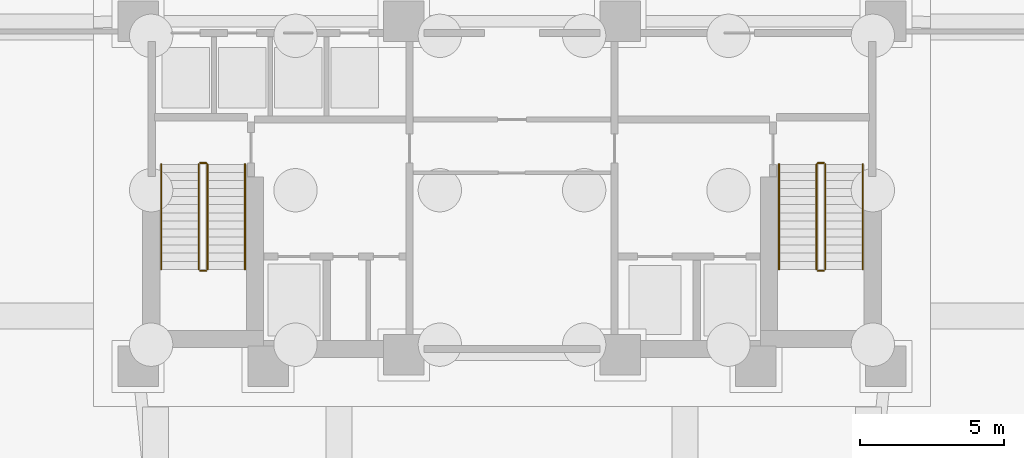
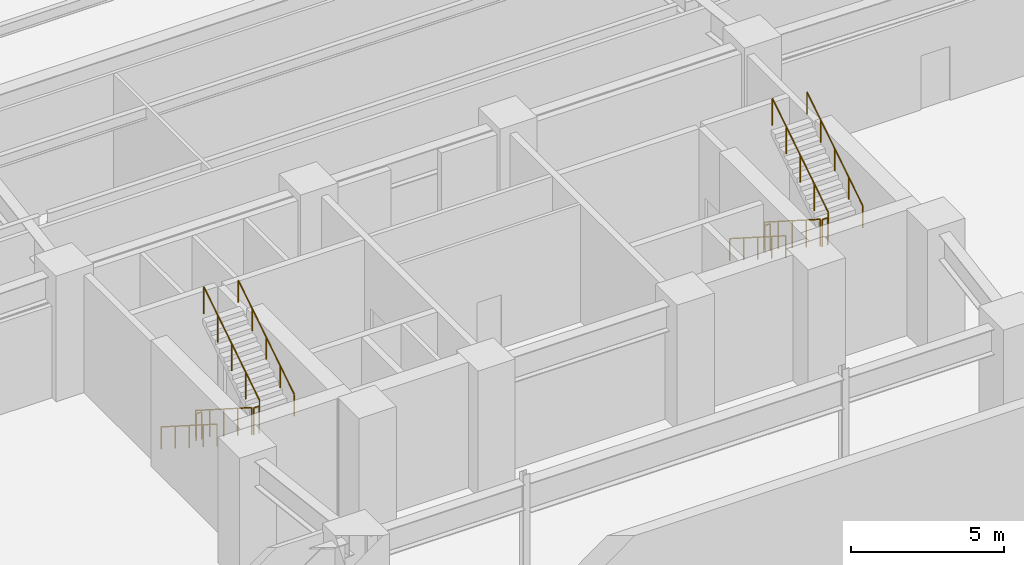
# One storey, part 12 of 15: 12 railings.
"""IFC4 building model written with IfcOpenShell, lengths in metres."""

from ifc_helpers import new_model, si_unit, direction, frame, origin, origin_2d, place, context, subcontext, project, spatial, circle, extrude, material, type_object, element, save


model = new_model("IFC4")

# Units and contexts
model_context = context("Model", 3, precision=1e-05, world=origin(), true_north=direction((0.0, 1.0)))
body_context = subcontext(model_context, "Body", "Model", "MODEL_VIEW")
ifc_project = project(units=[si_unit("LENGTHUNIT", "METRE"), si_unit("AREAUNIT", "SQUARE_METRE"), si_unit("VOLUMEUNIT", "CUBIC_METRE"), si_unit("PLANEANGLEUNIT", "RADIAN"), si_unit("MASSUNIT", "GRAM", prefix="KILO")], contexts=[model_context])

# Site, building, storey
site_placement = place(None, origin())
site = spatial("IfcSite", under=ifc_project, at=site_placement, CompositionType="ELEMENT")
building_placement = place(site_placement, origin())
building = spatial("IfcBuilding", under=site, at=building_placement, Name="Quenlor Broadcast Tower", CompositionType="ELEMENT")
storey_placement = place(building_placement, frame((0.0, 0.0, -10.0)))
storey = spatial("IfcBuildingStorey", under=building, at=storey_placement, Name="B02", CompositionType="ELEMENT", Elevation=-10.0)

# Railings
ifc_material_1 = material(Name="Anodised Aluminium", Category="aluminium")
railing_type_1 = type_object("IfcRailingType", Name="Stainless Aluminium Wall Handrail 900", PredefinedType="HANDRAIL", material=ifc_material_1)
railing_1_placement = place(storey_placement, frame((-12.14990234375, -9.75, 0.178466796875)))
element("IfcRailing", 1, at=railing_1_placement, inside=storey, type_object=railing_type_1, Name="B02 ST-1 stair handrail 1", PredefinedType="HANDRAIL", context=body_context, shape_type="SweptSolid", body=[
    extrude(circle(Radius=0.02392578125, at=origin_2d()), frame((0.0, 0.0, 0.8759765625), z_axis=(0.0, -0.843111507901, 0.53773877045), x_axis=(1.0, 0.0, 0.0)), (0.0, 0.0, 1.0), 4.317138671875),
    extrude(circle(Radius=0.02099609375, at=origin_2d()), origin(), (0.0, 0.0, 1.0), 0.851806640625),
    extrude(circle(Radius=0.02099609375, at=origin_2d()), frame((0.0, -0.909912109375, 0.580322265625)), (0.0, 0.0, 1.0), 0.851806640625),
    extrude(circle(Radius=0.02099609375, at=origin_2d()), frame((0.0, -1.81982421875, 1.16064453125)), (0.0, 0.0, 1.0), 0.851806640625),
    extrude(circle(Radius=0.02099609375, at=origin_2d()), frame((0.0, -2.72998046875, 1.7412109375)), (0.0, 0.0, 1.0), 0.851806640625),
    extrude(circle(Radius=0.02099609375, at=origin_2d()), frame((0.0, -3.639892578125, 2.321533203125)), (0.0, 0.0, 1.0), 0.851806640625),
])
railing_2_placement = place(storey_placement, frame((-9.25, -13.389892578125, 2.678466796875)))
element("IfcRailing", 2, at=railing_2_placement, inside=storey, type_object=railing_type_1, Name="B02 ST-1 stair handrail 2", PredefinedType="HANDRAIL", context=body_context, shape_type="SweptSolid", body=[
    extrude(circle(Radius=0.02392578125, at=origin_2d()), frame((0.0, 0.0, 0.8759765625), z_axis=(0.0, 0.843111507901, 0.53773877045), x_axis=(-1.0, 0.0, 0.0)), (0.0, 0.0, 1.0), 4.317138671875),
    extrude(circle(Radius=0.02099609375, at=origin_2d()), origin(), (0.0, 0.0, 1.0), 0.851806640625),
    extrude(circle(Radius=0.02099609375, at=origin_2d()), frame((0.0, 0.909912109375, 0.580322265625)), (0.0, 0.0, 1.0), 0.851806640625),
    extrude(circle(Radius=0.02099609375, at=origin_2d()), frame((0.0, 1.81982421875, 1.16064453125)), (0.0, 0.0, 1.0), 0.851806640625),
    extrude(circle(Radius=0.02099609375, at=origin_2d()), frame((0.0, 2.72998046875, 1.7412109375)), (0.0, 0.0, 1.0), 0.851806640625),
    extrude(circle(Radius=0.02099609375, at=origin_2d()), frame((0.0, 3.639892578125, 2.321533203125)), (0.0, 0.0, 1.0), 0.851806640625),
])
railing_3_placement = place(storey_placement, frame((9.25, -9.75, 0.178466796875)))
element("IfcRailing", 3, at=railing_3_placement, inside=storey, type_object=railing_type_1, Name="B02 ST-2 stair handrail 1", PredefinedType="HANDRAIL", context=body_context, shape_type="SweptSolid", body=[
    extrude(circle(Radius=0.02392578125, at=origin_2d()), frame((0.0, 0.0, 0.8759765625), z_axis=(0.0, -0.843111507901, 0.53773877045), x_axis=(1.0, 0.0, 0.0)), (0.0, 0.0, 1.0), 4.317138671875),
    extrude(circle(Radius=0.02099609375, at=origin_2d()), origin(), (0.0, 0.0, 1.0), 0.851806640625),
    extrude(circle(Radius=0.02099609375, at=origin_2d()), frame((0.0, -0.909912109375, 0.580322265625)), (0.0, 0.0, 1.0), 0.851806640625),
    extrude(circle(Radius=0.02099609375, at=origin_2d()), frame((0.0, -1.81982421875, 1.16064453125)), (0.0, 0.0, 1.0), 0.851806640625),
    extrude(circle(Radius=0.02099609375, at=origin_2d()), frame((0.0, -2.72998046875, 1.7412109375)), (0.0, 0.0, 1.0), 0.851806640625),
    extrude(circle(Radius=0.02099609375, at=origin_2d()), frame((0.0, -3.639892578125, 2.321533203125)), (0.0, 0.0, 1.0), 0.851806640625),
])
railing_4_placement = place(storey_placement, frame((12.14990234375, -13.389892578125, 2.678466796875)))
element("IfcRailing", 4, at=railing_4_placement, inside=storey, type_object=railing_type_1, Name="B02 ST-2 stair handrail 2", PredefinedType="HANDRAIL", context=body_context, shape_type="SweptSolid", body=[
    extrude(circle(Radius=0.02392578125, at=origin_2d()), frame((0.0, 0.0, 0.8759765625), z_axis=(0.0, 0.843111507901, 0.53773877045), x_axis=(-1.0, 0.0, 0.0)), (0.0, 0.0, 1.0), 4.317138671875),
    extrude(circle(Radius=0.02099609375, at=origin_2d()), origin(), (0.0, 0.0, 1.0), 0.851806640625),
    extrude(circle(Radius=0.02099609375, at=origin_2d()), frame((0.0, 0.909912109375, 0.580322265625)), (0.0, 0.0, 1.0), 0.851806640625),
    extrude(circle(Radius=0.02099609375, at=origin_2d()), frame((0.0, 1.81982421875, 1.16064453125)), (0.0, 0.0, 1.0), 0.851806640625),
    extrude(circle(Radius=0.02099609375, at=origin_2d()), frame((0.0, 2.72998046875, 1.7412109375)), (0.0, 0.0, 1.0), 0.851806640625),
    extrude(circle(Radius=0.02099609375, at=origin_2d()), frame((0.0, 3.639892578125, 2.321533203125)), (0.0, 0.0, 1.0), 0.851806640625),
])
ifc_material_2 = material(Name="Steel S355", Category="steel")
railing_type_2 = type_object("IfcRailingType", Name="Tubular Steel S355 Stair Guardrail 1100", PredefinedType="BALUSTRADE", material=ifc_material_2)
railing_5_placement = place(storey_placement, frame((-10.85009765625, -9.75, 0.178466796875)))
element("IfcRailing", 5, at=railing_5_placement, inside=storey, type_object=railing_type_2, Name="B02 ST-1 stair guard 1", PredefinedType="BALUSTRADE", context=body_context, shape_type="SweptSolid", body=[
    extrude(circle(Radius=0.02392578125, at=origin_2d()), frame((0.0, 0.0, 1.076171875), z_axis=(0.0, -0.843111507901, 0.53773877045), x_axis=(1.0, 0.0, 0.0)), (0.0, 0.0, 1.0), 4.317138671875),
    extrude(circle(Radius=0.02099609375, at=origin_2d()), origin(), (0.0, 0.0, 1.0), 1.052001953125),
    extrude(circle(Radius=0.02099609375, at=origin_2d()), frame((0.0, -0.909912109375, 0.580322265625)), (0.0, 0.0, 1.0), 1.052001953125),
    extrude(circle(Radius=0.02099609375, at=origin_2d()), frame((0.0, -1.81982421875, 1.16064453125)), (0.0, 0.0, 1.0), 1.052001953125),
    extrude(circle(Radius=0.02099609375, at=origin_2d()), frame((0.0, -2.72998046875, 1.7412109375)), (0.0, 0.0, 1.0), 1.052001953125),
    extrude(circle(Radius=0.02099609375, at=origin_2d()), frame((0.0, -3.639892578125, 2.321533203125)), (0.0, 0.0, 1.0), 1.052001953125),
])
railing_6_placement = place(storey_placement, frame((-10.800048828125, -13.43994140625, 2.5)))
element("IfcRailing", 6, at=railing_6_placement, inside=storey, type_object=railing_type_2, Name="B02 ST-1 stair guard 2", PredefinedType="BALUSTRADE", context=body_context, shape_type="SweptSolid", body=[
    extrude(circle(Radius=0.02392578125, at=origin_2d()), frame((0.0, 0.0, 1.076171875), z_axis=(1.0, 0.0, 0.0), x_axis=(0.0, 1.0, 0.0)), (0.0, 0.0, 1.0), 0.199951171875),
    extrude(circle(Radius=0.02099609375, at=origin_2d()), origin(), (0.0, 0.0, 1.0), 1.052001953125),
    extrude(circle(Radius=0.02099609375, at=origin_2d()), frame((0.199951171875, 0.0, 0.0)), (0.0, 0.0, 1.0), 1.052001953125),
])
railing_7_placement = place(storey_placement, frame((-10.550048828125, -13.389892578125, 2.678466796875)))
element("IfcRailing", 7, at=railing_7_placement, inside=storey, type_object=railing_type_2, Name="B02 ST-1 stair guard 3", PredefinedType="BALUSTRADE", context=body_context, shape_type="SweptSolid", body=[
    extrude(circle(Radius=0.02392578125, at=origin_2d()), frame((0.0, 0.0, 1.076171875), z_axis=(0.0, 0.843111507901, 0.53773877045), x_axis=(-1.0, 0.0, 0.0)), (0.0, 0.0, 1.0), 4.317138671875),
    extrude(circle(Radius=0.02099609375, at=origin_2d()), origin(), (0.0, 0.0, 1.0), 1.052001953125),
    extrude(circle(Radius=0.02099609375, at=origin_2d()), frame((0.0, 0.909912109375, 0.580322265625)), (0.0, 0.0, 1.0), 1.052001953125),
    extrude(circle(Radius=0.02099609375, at=origin_2d()), frame((0.0, 1.81982421875, 1.16064453125)), (0.0, 0.0, 1.0), 1.052001953125),
    extrude(circle(Radius=0.02099609375, at=origin_2d()), frame((0.0, 2.72998046875, 1.7412109375)), (0.0, 0.0, 1.0), 1.052001953125),
    extrude(circle(Radius=0.02099609375, at=origin_2d()), frame((0.0, 3.639892578125, 2.321533203125)), (0.0, 0.0, 1.0), 1.052001953125),
])
railing_8_placement = place(storey_placement, frame((-10.800048828125, -9.699951171875, 0.0)))
element("IfcRailing", 8, at=railing_8_placement, inside=storey, type_object=railing_type_2, Name="B02 ST-1 stair guard 4", PredefinedType="BALUSTRADE", context=body_context, shape_type="SweptSolid", body=[
    extrude(circle(Radius=0.02392578125, at=origin_2d()), frame((0.0, 0.0, 1.076171875), z_axis=(1.0, 0.0, 0.0), x_axis=(0.0, 1.0, 0.0)), (0.0, 0.0, 1.0), 0.199951171875),
    extrude(circle(Radius=0.02099609375, at=origin_2d()), origin(), (0.0, 0.0, 1.0), 1.052001953125),
    extrude(circle(Radius=0.02099609375, at=origin_2d()), frame((0.199951171875, 0.0, 0.0)), (0.0, 0.0, 1.0), 1.052001953125),
])
railing_9_placement = place(storey_placement, frame((10.550048828125, -9.75, 0.178466796875)))
element("IfcRailing", 9, at=railing_9_placement, inside=storey, type_object=railing_type_2, Name="B02 ST-2 stair guard 1", PredefinedType="BALUSTRADE", context=body_context, shape_type="SweptSolid", body=[
    extrude(circle(Radius=0.02392578125, at=origin_2d()), frame((0.0, 0.0, 1.076171875), z_axis=(0.0, -0.843111507901, 0.53773877045), x_axis=(1.0, 0.0, 0.0)), (0.0, 0.0, 1.0), 4.317138671875),
    extrude(circle(Radius=0.02099609375, at=origin_2d()), origin(), (0.0, 0.0, 1.0), 1.052001953125),
    extrude(circle(Radius=0.02099609375, at=origin_2d()), frame((0.0, -0.909912109375, 0.580322265625)), (0.0, 0.0, 1.0), 1.052001953125),
    extrude(circle(Radius=0.02099609375, at=origin_2d()), frame((0.0, -1.81982421875, 1.16064453125)), (0.0, 0.0, 1.0), 1.052001953125),
    extrude(circle(Radius=0.02099609375, at=origin_2d()), frame((0.0, -2.72998046875, 1.7412109375)), (0.0, 0.0, 1.0), 1.052001953125),
    extrude(circle(Radius=0.02099609375, at=origin_2d()), frame((0.0, -3.639892578125, 2.321533203125)), (0.0, 0.0, 1.0), 1.052001953125),
])
railing_10_placement = place(storey_placement, frame((10.60009765625, -13.43994140625, 2.5)))
element("IfcRailing", 10, at=railing_10_placement, inside=storey, type_object=railing_type_2, Name="B02 ST-2 stair guard 2", PredefinedType="BALUSTRADE", context=body_context, shape_type="SweptSolid", body=[
    extrude(circle(Radius=0.02392578125, at=origin_2d()), frame((0.0, 0.0, 1.076171875), z_axis=(1.0, 0.0, 0.0), x_axis=(0.0, 1.0, 0.0)), (0.0, 0.0, 1.0), 0.199951171875),
    extrude(circle(Radius=0.02099609375, at=origin_2d()), origin(), (0.0, 0.0, 1.0), 1.052001953125),
    extrude(circle(Radius=0.02099609375, at=origin_2d()), frame((0.199951171875, 0.0, 0.0)), (0.0, 0.0, 1.0), 1.052001953125),
])
railing_11_placement = place(storey_placement, frame((10.85009765625, -13.389892578125, 2.678466796875)))
element("IfcRailing", 11, at=railing_11_placement, inside=storey, type_object=railing_type_2, Name="B02 ST-2 stair guard 3", PredefinedType="BALUSTRADE", context=body_context, shape_type="SweptSolid", body=[
    extrude(circle(Radius=0.02392578125, at=origin_2d()), frame((0.0, 0.0, 1.076171875), z_axis=(0.0, 0.843111507901, 0.53773877045), x_axis=(-1.0, 0.0, 0.0)), (0.0, 0.0, 1.0), 4.317138671875),
    extrude(circle(Radius=0.02099609375, at=origin_2d()), origin(), (0.0, 0.0, 1.0), 1.052001953125),
    extrude(circle(Radius=0.02099609375, at=origin_2d()), frame((0.0, 0.909912109375, 0.580322265625)), (0.0, 0.0, 1.0), 1.052001953125),
    extrude(circle(Radius=0.02099609375, at=origin_2d()), frame((0.0, 1.81982421875, 1.16064453125)), (0.0, 0.0, 1.0), 1.052001953125),
    extrude(circle(Radius=0.02099609375, at=origin_2d()), frame((0.0, 2.72998046875, 1.7412109375)), (0.0, 0.0, 1.0), 1.052001953125),
    extrude(circle(Radius=0.02099609375, at=origin_2d()), frame((0.0, 3.639892578125, 2.321533203125)), (0.0, 0.0, 1.0), 1.052001953125),
])
railing_12_placement = place(storey_placement, frame((10.60009765625, -9.699951171875, 0.0)))
element("IfcRailing", 12, at=railing_12_placement, inside=storey, type_object=railing_type_2, Name="B02 ST-2 stair guard 4", PredefinedType="BALUSTRADE", context=body_context, shape_type="SweptSolid", body=[
    extrude(circle(Radius=0.02392578125, at=origin_2d()), frame((0.0, 0.0, 1.076171875), z_axis=(1.0, 0.0, 0.0), x_axis=(0.0, 1.0, 0.0)), (0.0, 0.0, 1.0), 0.199951171875),
    extrude(circle(Radius=0.02099609375, at=origin_2d()), origin(), (0.0, 0.0, 1.0), 1.052001953125),
    extrude(circle(Radius=0.02099609375, at=origin_2d()), frame((0.199951171875, 0.0, 0.0)), (0.0, 0.0, 1.0), 1.052001953125),
])

save(model, "model.ifc")
